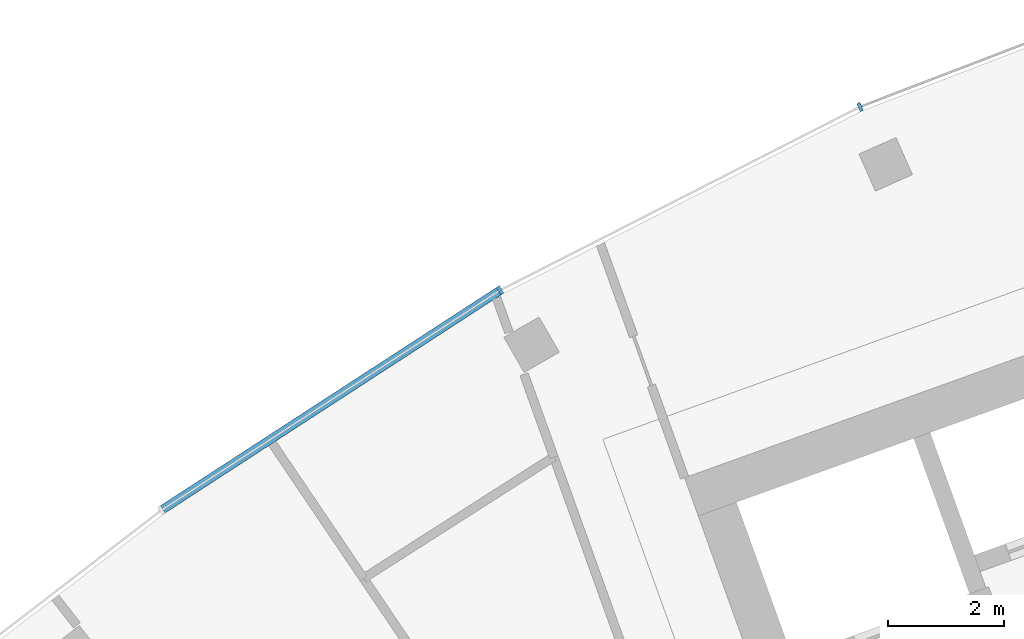
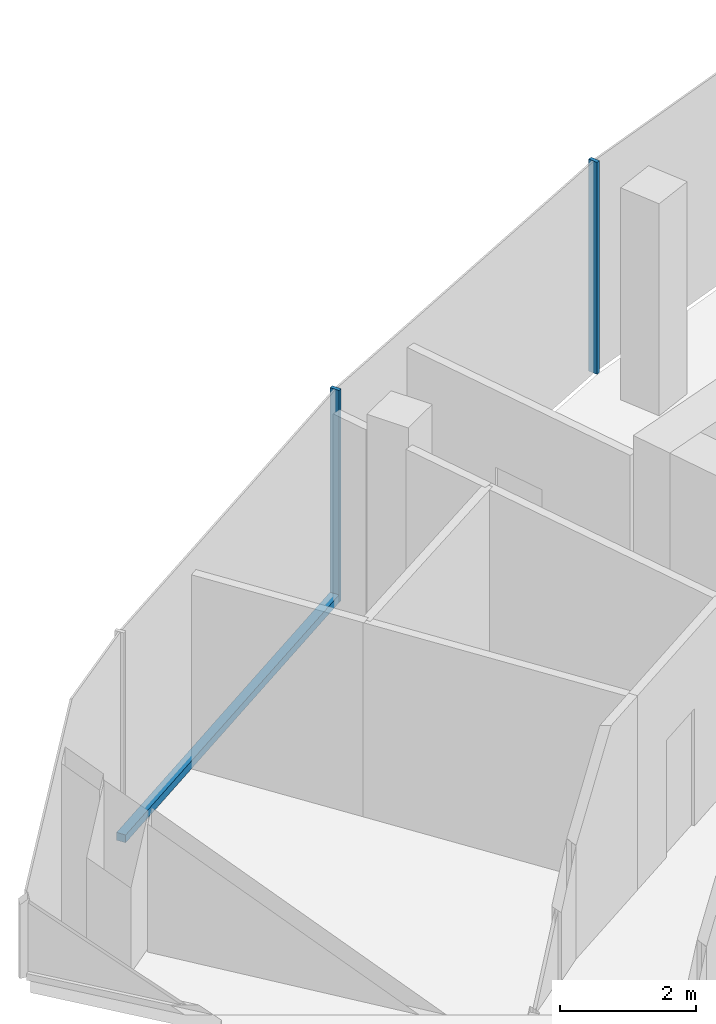
# One storey, part 4 of 18: 3 members, 1 element without a shape of its own.
"""IFC4 building model written with IfcOpenShell, lengths in metres."""

from ifc_helpers import new_model, si_unit, direction, frame, origin, origin_2d, place, context, subcontext, project, spatial, rectangle, extrude, material, layer, layer_set, material_profile, profile_set, type_object, element, aggregate, save


model = new_model("IFC4")

# Units and contexts
model_context = context("Model", 3, precision=1e-05, world=origin(), true_north=direction((0.0, 1.0)))
body_context = subcontext(model_context, "Body", "Model", "MODEL_VIEW")
ifc_project = project(units=[si_unit("LENGTHUNIT", "METRE"), si_unit("AREAUNIT", "SQUARE_METRE"), si_unit("VOLUMEUNIT", "CUBIC_METRE"), si_unit("PLANEANGLEUNIT", "RADIAN"), si_unit("MASSUNIT", "GRAM", prefix="KILO")], contexts=[model_context])

# Site, building, storey
site_placement = place(None, origin())
site = spatial("IfcSite", under=ifc_project, at=site_placement, CompositionType="ELEMENT")
building_placement = place(site_placement, origin())
building = spatial("IfcBuilding", under=site, at=building_placement, Name="Stone Belt Terrace Tower", CompositionType="ELEMENT")
storey_placement = place(building_placement, frame((0.0, 0.0, 288.39990234375)))
storey = spatial("IfcBuildingStorey", under=building, at=storey_placement, Name="L70", CompositionType="ELEMENT", Elevation=288.39990234375)

# Curtain wall, members
ifc_material = material(Name="Aluminium 6063-T6 anodised frame", Category="aluminium")
ifc_layer = layer(ifc_material, 0.14990234375)
ifc_layer_set = layer_set([ifc_layer], Name="CW-A unitised convex-face curtain wall")
curtain_wall_type = type_object("IfcCurtainWallType", Name="CW-A unitised convex-face curtain wall", PredefinedType="NOTDEFINED", material=ifc_layer_set)
curtain_wall_placement = place(storey_placement, origin())
curtain_wall = element("IfcCurtainWall", 1, at=curtain_wall_placement, inside=storey, type_object=curtain_wall_type, Name="CW-A convex face L70", PredefinedType="NOTDEFINED")
ifc_material_profile_1 = material_profile(ifc_material, rectangle(XDim=0.14990234375, YDim=0.06005859375, at=origin_2d()), Name="Aluminium 6063-T6 60x150")
ifc_profile_set_1 = profile_set([ifc_material_profile_1], Name="Aluminium 6063-T6 anodised frame")
member_type_1 = type_object("IfcMemberType", Name="CW-A mullion 60 x 150", PredefinedType="MULLION", material=ifc_profile_set_1)
member_1_placement = place(storey_placement, frame((-27.07861328125, 60.8193359375, 0.0), z_axis=(0.0, 0.0, 1.0), x_axis=(0.406736643076, -0.913545457643, 0.0)))
member_1 = element("IfcMember", 2, at=member_1_placement, type_object=member_type_1, Name="CW-A mullion 12", PredefinedType="MULLION", context=body_context, shape_type="SweptSolid", body=[
    extrude(rectangle(XDim=0.14990234375, YDim=0.06005859375, at=origin_2d()), origin(), (0.0, 0.0, 1.0), 3.800048828125),
])
member_2_placement = place(storey_placement, frame((-33.28759765625, 57.65576171875, 0.0), z_axis=(0.0, 0.0, 1.0), x_axis=(0.5, -0.866025403784, 0.0)))
member_2 = element("IfcMember", 3, at=member_2_placement, type_object=member_type_1, Name="CW-A mullion 13", PredefinedType="MULLION", context=body_context, shape_type="SweptSolid", body=[
    extrude(rectangle(XDim=0.14990234375, YDim=0.06005859375, at=origin_2d()), origin(), (0.0, 0.0, 1.0), 3.800048828125),
])
ifc_material_profile_2 = material_profile(ifc_material, rectangle(XDim=0.14990234375, YDim=0.139892578125, at=origin_2d()), Name="Aluminium 6063-T6 150x140")
ifc_profile_set_2 = profile_set([ifc_material_profile_2], Name="Aluminium 6063-T6 anodised frame")
member_type_2 = type_object("IfcMemberType", Name="CW-A transom 140 x 150", PredefinedType="USERDEFINED", material=ifc_profile_set_2)
member_3_placement = place(storey_placement, frame((-33.31591796875, 57.63720703125, 0.070068359375), z_axis=(-0.83868440714, -0.544617723931, 0.0), x_axis=(0.544617723931, -0.83868440714, 0.0)))
member_3 = element("IfcMember", 4, at=member_3_placement, type_object=member_type_2, Name="CW-A transom 13.1", ObjectType="TRANSOM", PredefinedType="USERDEFINED", context=body_context, shape_type="SweptSolid", body=[
    extrude(rectangle(XDim=0.14990234375, YDim=0.139892578125, at=origin_2d()), origin(), (0.0, 0.0, 1.0), 6.90087890625),
])
aggregate(curtain_wall, [member_1, member_2, member_3])

save(model, "model.ifc")
